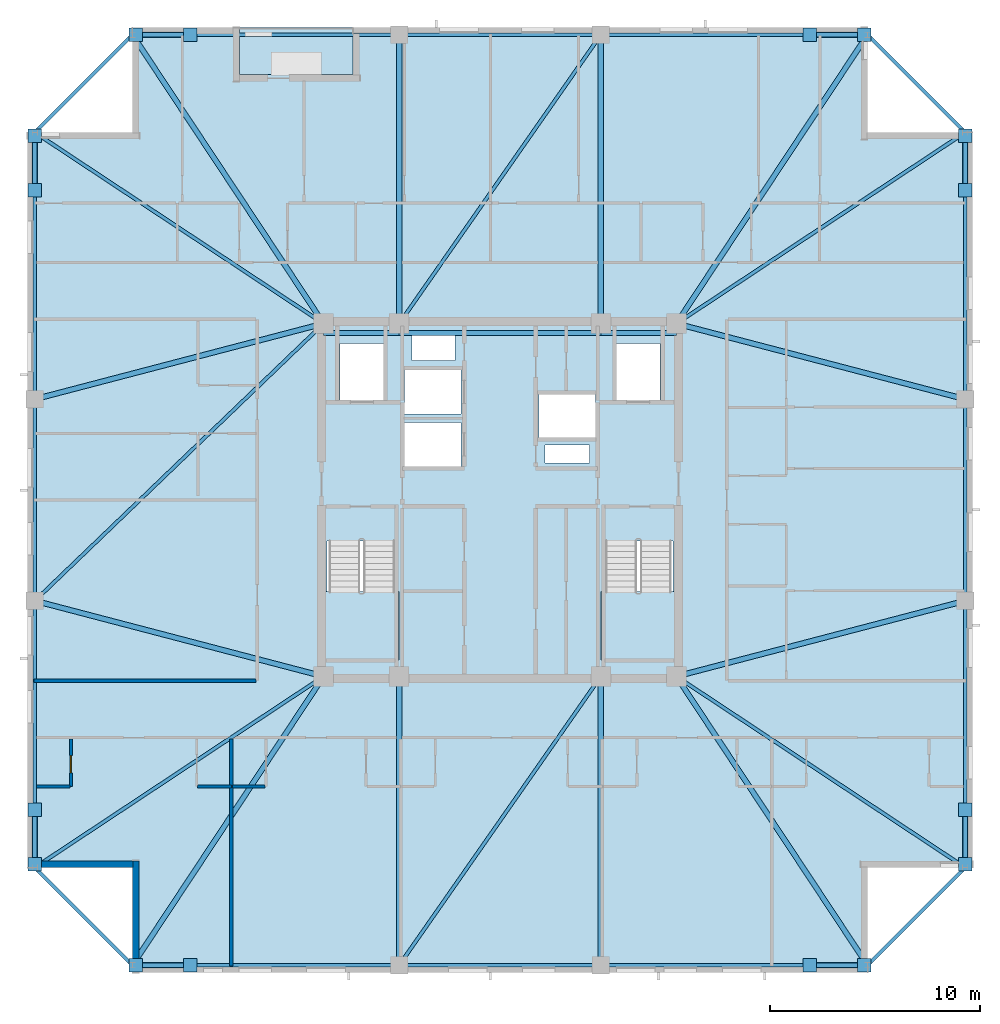
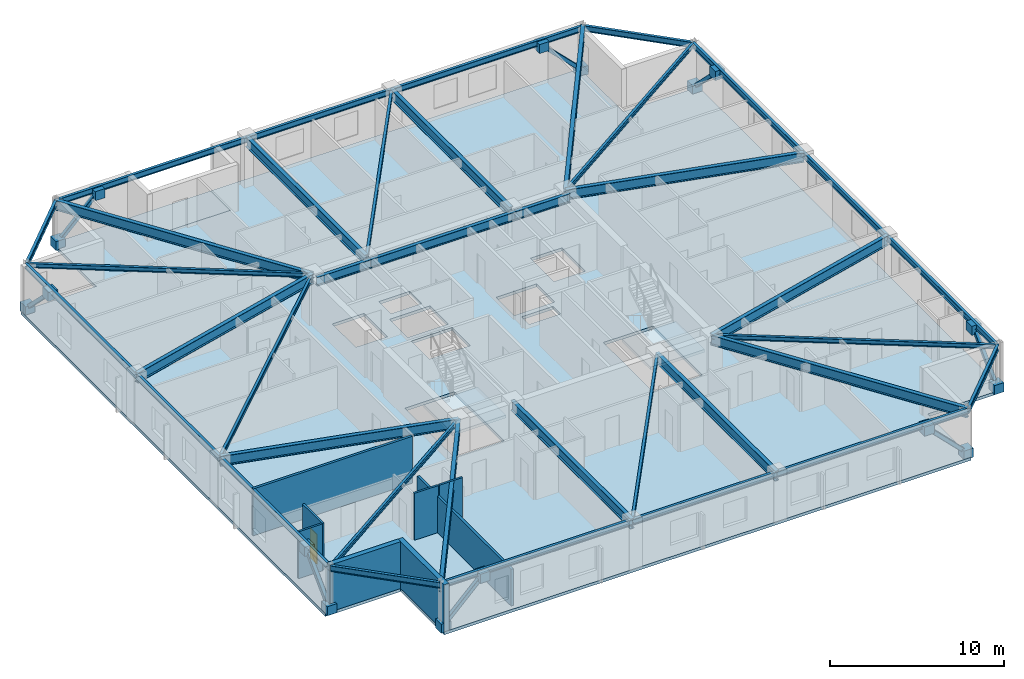
# One storey, part 6 of 17: 38 beams, 16 plates, 8 members, 8 walls, 4 slabs, 1 door, 1 opening, 2 elements without a shape of their own.
"""IFC4 building model written with IfcOpenShell, lengths in metres."""

import ifcopenshell
import ifcopenshell.guid

model = None  # the IFC model being written
_history = None  # IfcOwnerHistory: only IFC2X3 demands one
_inside = {}  # id of a spatial element -> (the spatial element, [elements in it])
_under = {}  # id of a project, library or spatial element -> (it, [spatial elements below it])
_declared = {}  # id of a project -> (the project, [libraries it declares])
_typed = {}  # id of a type object -> (the type object, [elements of that type])
_made_of = {}  # id of a material, layer set ... -> (it, [elements and type objects made of it])


def new_model(schema):
    """Start an empty IFC model of exactly this schema.

    Asked for "IFC4X3", IfcOpenShell would pick the latest addendum, in which some entities
    have other attributes; the version numbers below select the first issue.
    IFC2X3 requires an IfcOwnerHistory on every rooted entity: one is made here for all.
    """
    global model, _history
    if schema == "IFC4X3":
        model = ifcopenshell.file(schema_version=(4, 3, 0, 0))
    else:
        model = ifcopenshell.file(schema=schema)
    _inside.clear()
    _under.clear()
    _declared.clear()
    _typed.clear()
    _made_of.clear()
    _history = None
    if model.schema == "IFC2X3":
        org = make("IfcOrganization", Name="unknown")
        user = make(
            "IfcPersonAndOrganization",
            ThePerson=make("IfcPerson", FamilyName="unknown"),
            TheOrganization=org,
        )
        app = make(
            "IfcApplication",
            ApplicationDeveloper=org,
            Version="unknown",
            ApplicationFullName="unknown",
            ApplicationIdentifier="unknown",
        )
        _history = make(
            "IfcOwnerHistory",
            OwningUser=user,
            OwningApplication=app,
            ChangeAction="ADDED",
            CreationDate=0,
        )
    return model


def make(cls, **values):
    """One entity of the class cls with the attributes given. An attribute that is None is left unset."""
    return model.create_entity(
        cls, **{name: value for name, value in values.items() if value is not None}
    )


def rooted(cls, **values):
    """An entity with a GlobalId (a new one), such as an element, a storey or a relation."""
    return make(cls, GlobalId=ifcopenshell.guid.new(), OwnerHistory=_history, **values)


def si_unit(unit_type, name, prefix=None):
    """IfcSIUnit, for example si_unit("LENGTHUNIT", "METRE", prefix="MILLI")."""
    return make("IfcSIUnit", UnitType=unit_type, Prefix=prefix, Name=name)


def assignment(units):
    """IfcUnitAssignment: the units of a project."""
    return None if units is None else make("IfcUnitAssignment", Units=units)


def point(xyz):
    """IfcCartesianPoint."""
    return None if xyz is None else make("IfcCartesianPoint", Coordinates=xyz)


def direction(xyz):
    """IfcDirection."""
    return None if xyz is None else make("IfcDirection", DirectionRatios=xyz)


def frame(location, z_axis=None, x_axis=None):
    """IfcAxis2Placement3D, a coordinate frame: its origin and axes. An axis left out is left unset."""
    return make(
        "IfcAxis2Placement3D",
        Location=point(location),
        Axis=direction(z_axis),
        RefDirection=direction(x_axis),
    )


def frame_2d(location, x_axis=None):
    """IfcAxis2Placement2D, a coordinate frame in the plane: its origin and x axis."""
    return make(
        "IfcAxis2Placement2D", Location=point(location), RefDirection=direction(x_axis)
    )


def origin():
    """The frame at (0, 0, 0) with its axes left unset."""
    return frame((0.0, 0.0, 0.0))


def origin_2d():
    """The frame at (0, 0) in the plane with its x axis left unset."""
    return frame_2d((0.0, 0.0))


def place(relative_to, where):
    """IfcLocalPlacement: puts the frame where relative to a parent placement (None: the world)."""
    return make(
        "IfcLocalPlacement", PlacementRelTo=relative_to, RelativePlacement=where
    )


def context(
    kind, dimensions, precision=None, world=None, true_north=None, identifier=None
):
    """IfcGeometricRepresentationContext, for example the 3D "Model" context."""
    return make(
        "IfcGeometricRepresentationContext",
        ContextIdentifier=identifier,
        ContextType=kind,
        CoordinateSpaceDimension=dimensions,
        Precision=precision,
        WorldCoordinateSystem=world,
        TrueNorth=true_north,
    )


def subcontext(parent, identifier, kind, view, scale=None):
    """IfcGeometricRepresentationSubContext, for example "Body" below "Model"."""
    return make(
        "IfcGeometricRepresentationSubContext",
        ContextIdentifier=identifier,
        ContextType=kind,
        ParentContext=parent,
        TargetScale=scale,
        TargetView=view,
    )


def project(units=None, contexts=None):
    """IfcProject with its units and contexts."""
    return rooted(
        "IfcProject",
        Name="project",
        RepresentationContexts=contexts,
        UnitsInContext=assignment(units),
    )


def spatial(cls, under=None, at=None, **own):
    """A site, building, storey or space (cls), placed at a placement, below another one or the project."""
    s = rooted(cls, ObjectPlacement=at, **own)
    if under is not None:
        _under.setdefault(under.id(), (under, []))[1].append(s)
    return s


def polyline(points):
    """IfcPolyline through the points."""
    return make("IfcPolyline", Points=[point(p) for p in points])


def profile(cls, at=None, kind="AREA", **sizes):
    """A parametric profile (cls). Its sizes go by their IFC names, for example OverallWidth=200.0."""
    return make(cls, ProfileType=kind, Position=at, **sizes)


def rectangle(**sizes):
    """IfcRectangleProfileDef."""
    return profile("IfcRectangleProfileDef", **sizes)


def hollow_rectangle(**sizes):
    """IfcRectangleHollowProfileDef."""
    return profile("IfcRectangleHollowProfileDef", **sizes)


def i_section(**sizes):
    """IfcIShapeProfileDef."""
    return profile("IfcIShapeProfileDef", **sizes)


def outline(outer, holes=None, kind="AREA"):
    """IfcArbitraryClosedProfileDef: a profile drawn as a closed curve; with holes, ...WithVoids."""
    if holes is None:
        return make("IfcArbitraryClosedProfileDef", ProfileType=kind, OuterCurve=outer)
    return make(
        "IfcArbitraryProfileDefWithVoids",
        ProfileType=kind,
        OuterCurve=outer,
        InnerCurves=holes,
    )


def extrude(swept, where, along, depth):
    """IfcExtrudedAreaSolid: the profile swept, set in the frame where, extruded along a direction by depth."""
    return make(
        "IfcExtrudedAreaSolid",
        SweptArea=swept,
        Position=where,
        ExtrudedDirection=direction(along),
        Depth=depth,
    )


def shape(context_of_items, identifier, shape_type, items):
    """IfcShapeRepresentation: the items that make up one representation, for example the "Body"."""
    return make(
        "IfcShapeRepresentation",
        ContextOfItems=context_of_items,
        RepresentationIdentifier=identifier,
        RepresentationType=shape_type,
        Items=items,
    )


def material(Name=None, Category=None):
    """IfcMaterial."""
    return make("IfcMaterial", Name=Name, Category=Category)


def layer(
    of_material, thickness, ventilated=None, Name=None, Category=None, Priority=None
):
    """IfcMaterialLayer: one layer of a wall or slab, of a material (None: an air gap)."""
    return make(
        "IfcMaterialLayer",
        Material=of_material,
        LayerThickness=thickness,
        IsVentilated=ventilated,
        Name=Name,
        Category=Category,
        Priority=Priority,
    )


def layer_set(layers, Name=None):
    """IfcMaterialLayerSet."""
    return make("IfcMaterialLayerSet", MaterialLayers=layers, LayerSetName=Name)


def material_profile(
    of_material, cross_section, Name=None, Category=None, Priority=None
):
    """IfcMaterialProfile: a cross section and its material."""
    return make(
        "IfcMaterialProfile",
        Name=Name,
        Material=of_material,
        Profile=cross_section,
        Priority=Priority,
        Category=Category,
    )


def profile_set(profiles, Name=None, composite=None):
    """IfcMaterialProfileSet."""
    return make(
        "IfcMaterialProfileSet",
        Name=Name,
        MaterialProfiles=profiles,
        CompositeProfile=composite,
    )


def made_of(thing, what):
    """Note that an element or type object is made of a material, layer set ...; save() writes the relation."""
    if what is not None:
        _made_of.setdefault(what.id(), (what, []))[1].append(thing)
    return thing


def type_object(cls, material=None, **own):
    """A type object (cls), such as IfcWallType, which elements share."""
    return made_of(rooted(cls, **own), material)


def element(
    cls,
    number,
    at=None,
    inside=None,
    cuts=None,
    type_object=None,
    material=None,
    context=None,
    identifier="Body",
    shape_type=None,
    held_by="IfcProductDefinitionShape",
    body=None,
    shapes=None,
    **own,
):
    """One element of the class cls, such as IfcWall. Its Tag is "e" and its number.

    at: its placement. inside: the storey or other place that contains it. cuts: it is an
    opening in that element (IfcRelVoidsElement). A single representation is given by context,
    identifier, shape_type and body (its items); several are given by shapes. held_by: the class
    of the entity that holds the representations. save() writes the other relations.
    """
    e = rooted(cls, Tag="e%d" % number, ObjectPlacement=at, **own)
    if body is not None:
        shapes = [shape(context, identifier, shape_type, body)]
    if shapes is not None:
        e.Representation = make(held_by, Representations=shapes)
    if inside is not None:
        _inside.setdefault(inside.id(), (inside, []))[1].append(e)
    if cuts is not None:
        rooted(
            "IfcRelVoidsElement", RelatingBuildingElement=cuts, RelatedOpeningElement=e
        )
    if type_object is not None:
        _typed.setdefault(type_object.id(), (type_object, []))[1].append(e)
    return made_of(e, material)


def fill(opening, filler):
    """IfcRelFillsElement: the door or window that sits in an opening."""
    return rooted(
        "IfcRelFillsElement",
        RelatingOpeningElement=opening,
        RelatedBuildingElement=filler,
    )


def aggregate(whole, parts):
    """IfcRelAggregates: a whole, such as a stair, and the parts it consists of."""
    return rooted("IfcRelAggregates", RelatingObject=whole, RelatedObjects=parts)


def save(model, path):
    """Write the relations noted so far, then the file.

    IfcRelAggregates (storeys below a building ...), IfcRelContainedInSpatialStructure (elements
    in a storey), IfcRelDefinesByType, IfcRelAssociatesMaterial and IfcRelDeclares: one each for
    every whole, place, type object, material and project.
    """
    for whole, parts in _under.values():
        aggregate(whole, parts)
    for where, things in _inside.values():
        rooted(
            "IfcRelContainedInSpatialStructure",
            RelatedElements=things,
            RelatingStructure=where,
        )
    for kind, things in _typed.values():
        rooted("IfcRelDefinesByType", RelatedObjects=things, RelatingType=kind)
    for what, things in _made_of.values():
        rooted("IfcRelAssociatesMaterial", RelatedObjects=things, RelatingMaterial=what)
    for by, libraries in _declared.values():
        rooted("IfcRelDeclares", RelatingContext=by, RelatedDefinitions=libraries)
    model.write(path)


model = new_model("IFC4")

# Units and contexts
model_context = context("Model", 3, precision=1e-05, world=origin(), true_north=direction((0.0, 1.0)))
body_context = subcontext(model_context, "Body", "Model", "MODEL_VIEW")
ifc_project = project(units=[si_unit("LENGTHUNIT", "METRE"), si_unit("AREAUNIT", "SQUARE_METRE"), si_unit("VOLUMEUNIT", "CUBIC_METRE"), si_unit("PLANEANGLEUNIT", "RADIAN"), si_unit("MASSUNIT", "GRAM", prefix="KILO")], contexts=[model_context])

# Site, building, storey
site_placement = place(None, origin())
site = spatial("IfcSite", under=ifc_project, at=site_placement, CompositionType="ELEMENT")
building_placement = place(site_placement, origin())
building = spatial("IfcBuilding", under=site, at=building_placement, Name="Cairnveth Concourse Tower", CompositionType="ELEMENT")
storey_placement = place(building_placement, frame((0.0, 0.0, 216.5)))
storey = spatial("IfcBuildingStorey", under=building, at=storey_placement, Name="L59", CompositionType="ELEMENT", Elevation=216.5)

# Beams
ifc_material_1 = material(Name="Steel Grade 350", Category="steel")
ifc_material_profile_1 = material_profile(ifc_material_1, i_section(OverallWidth=0.22802734375, OverallDepth=0.60693359375, WebThickness=0.01123046875, FlangeThickness=0.017333984375, FilletRadius=0.013916015625, at=origin_2d()), Name="610UB113")
ifc_profile_set_1 = profile_set([ifc_material_profile_1], Name="Steel Grade 350")
beam_type_1 = type_object("IfcBeamType", Name="CORE TIE BEAM 610UB113", PredefinedType="T_BEAM", material=ifc_profile_set_1)
for number, where, z_axis, x_axis, name in (
    (1, (43.60009765625, 46.949951171875, 2.986572265625), (1.0, 0.0, 0.0), (0.0, 1.0, 0.0), "Beam CT-N1 L59"),
    (2, (56.800048828125, 46.949951171875, 2.986572265625), (1.0, 0.0, 0.0), (0.0, 1.0, 0.0), "Beam CT-N3 L59"),
):
    element("IfcBeam", number, at=place(storey_placement, frame(where, z_axis=z_axis, x_axis=x_axis)), inside=storey, type_object=beam_type_1, Name=name, PredefinedType="T_BEAM", context=body_context, shape_type="SweptSolid", body=[
        extrude(i_section(OverallWidth=0.22802734375, OverallDepth=0.60693359375, WebThickness=0.01123046875, FlangeThickness=0.017333984375, FilletRadius=0.013916015625, at=origin_2d()), origin(), (0.0, 0.0, 1.0), 3.599853515625),
    ])
beam_1_placement = place(storey_placement, frame((47.199951171875, 46.949951171875, 2.986572265625), z_axis=(1.0, 0.0, 0.0), x_axis=(0.0, 1.0, 0.0)))
element("IfcBeam", 3, at=beam_1_placement, inside=storey, type_object=beam_type_1, Name="Beam CT-N2 L59", PredefinedType="T_BEAM", context=body_context, shape_type="SweptSolid", body=[
    extrude(i_section(OverallWidth=0.22802734375, OverallDepth=0.60693359375, WebThickness=0.01123046875, FlangeThickness=0.017333984375, FilletRadius=0.013916015625, at=origin_2d()), origin(), (0.0, 0.0, 1.0), 9.60009765625),
])
ifc_material_profile_2 = material_profile(ifc_material_1, i_section(OverallWidth=0.166015625, OverallDepth=0.306884765625, WebThickness=0.006591796875, FlangeThickness=0.01171875, FilletRadius=0.010986328125, at=origin_2d()), Name="310UB46.2")
ifc_profile_set_2 = profile_set([ifc_material_profile_2], Name="Steel Grade 350")
beam_type_2 = type_object("IfcBeamType", Name="ZONE 3 FLOOR JOIST 310UB46.2", PredefinedType="JOIST", material=ifc_profile_set_2)
for number, where, z_axis, x_axis, name in (
    (4, (29.85009765625, 21.5, 3.136474609375), (0.833908956207, 0.551902031848, 0.0), (-0.551902031848, 0.833908956207, 0.0), "Beam FJ-CSW2 L59"),
    (5, (74.14990234375, 21.5, 3.136474609375), (-0.833908956207, 0.551902031848, 0.0), (-0.551902031848, -0.833908956207, 0.0), "Beam FJ-CSE2 L59"),
    (6, (74.14990234375, 56.5, 3.136474609375), (-0.833908956207, -0.551902031848, 0.0), (0.551902031848, -0.833908956207, 0.0), "Beam FJ-CNE2 L59"),
    (7, (29.85009765625, 56.5, 3.136474609375), (0.833908956207, -0.551902031848, 0.0), (0.551902031848, 0.833908956207, 0.0), "Beam FJ-CNW2 L59"),
):
    element("IfcBeam", number, at=place(storey_placement, frame(where, z_axis=z_axis, x_axis=x_axis)), inside=storey, type_object=beam_type_2, Name=name, PredefinedType="JOIST", context=body_context, shape_type="SweptSolid", body=[
        extrude(i_section(OverallWidth=0.166015625, OverallDepth=0.306884765625, WebThickness=0.006591796875, FlangeThickness=0.01171875, FilletRadius=0.010986328125, at=origin_2d()), origin(), (0.0, 0.0, 1.0), 16.488525390625),
    ])
for number, where, z_axis, x_axis, name in (
    (8, (47.199951171875, 16.85009765625, 3.136474609375), (0.572465304893, 0.819928944905, 0.0), (-0.819928944905, 0.572465304893, 0.0), "Beam FJ-S-M1 L59"),
    (9, (47.199951171875, 47.39990234375, 3.136474609375), (0.572465304893, 0.819928944905, 0.0), (-0.819928944905, 0.572465304893, 0.0), "Beam FJ-N-M1 L59"),
):
    element("IfcBeam", number, at=place(storey_placement, frame(where, z_axis=z_axis, x_axis=x_axis)), inside=storey, type_object=beam_type_2, Name=name, PredefinedType="JOIST", context=body_context, shape_type="SweptSolid", body=[
        extrude(i_section(OverallWidth=0.166015625, OverallDepth=0.306884765625, WebThickness=0.006591796875, FlangeThickness=0.01171875, FilletRadius=0.010986328125, at=origin_2d()), origin(), (0.0, 0.0, 1.0), 16.769775390625),
    ])
beam_2_placement = place(storey_placement, frame((29.85009765625, 34.199951171875, 3.136474609375), z_axis=(0.721388600838, 0.692530495055, 0.0), x_axis=(-0.692530495055, 0.721388600838, 0.0)))
element("IfcBeam", 10, at=beam_2_placement, inside=storey, type_object=beam_type_2, Name="Beam FJ-W-M1 L59", PredefinedType="JOIST", context=body_context, shape_type="SweptSolid", body=[
    extrude(i_section(OverallWidth=0.166015625, OverallDepth=0.306884765625, WebThickness=0.006591796875, FlangeThickness=0.01171875, FilletRadius=0.010986328125, at=origin_2d()), origin(), (0.0, 0.0, 1.0), 19.060546875),
])

# Members
ifc_material_2 = material(Name="Steel C350L0 (350 MPa)", Category="steel")
ifc_material_profile_3 = material_profile(ifc_material_2, hollow_rectangle(XDim=0.25, YDim=0.25, WallThickness=0.012451171875, InnerFilletRadius=0.012939453125, OuterFilletRadius=0.02490234375, at=origin_2d()), Name="250x250x12.5SHS")
ifc_profile_set_3 = profile_set([ifc_material_profile_3], Name="Steel C350L0 (350 MPa)")
member_type = type_object("IfcMemberType", Name="ZONE 3 PIER BRACE 250X250X12.5SHS", PredefinedType="BRACE", material=ifc_profile_set_3)
for number, where, z_axis, x_axis, name in (
    (11, (34.64990234375, 16.85009765625, 0.25), (0.708469186186, 0.0, 0.705741746126), (0.0, 1.0, 0.0), "Structural Brace PB-S1 L59"),
    (12, (69.35009765625, 16.85009765625, 0.25), (-0.708469186186, 0.0, 0.705741746126), (0.0, -1.0, 0.0), "Structural Brace PB-S2 L59"),
    (13, (34.64990234375, 61.14990234375, 0.25), (0.708469186186, 0.0, 0.705741746126), (0.0, 1.0, 0.0), "Structural Brace PB-N1 L59"),
    (14, (69.35009765625, 61.14990234375, 0.25), (-0.708469186186, 0.0, 0.705741746126), (0.0, -1.0, 0.0), "Structural Brace PB-N2 L59"),
    (15, (29.85009765625, 21.64990234375, 0.25), (0.0, 0.708469186186, 0.705741746126), (-1.0, 0.0, 0.0), "Structural Brace PB-W1 L59"),
    (16, (29.85009765625, 56.35009765625, 0.25), (0.0, -0.708469186186, 0.705741746126), (1.0, 0.0, 0.0), "Structural Brace PB-W2 L59"),
    (17, (74.14990234375, 21.64990234375, 0.25), (0.0, 0.708469186186, 0.705741746126), (-1.0, 0.0, 0.0), "Structural Brace PB-E1 L59"),
    (18, (74.14990234375, 56.35009765625, 0.25), (0.0, -0.708469186186, 0.705741746126), (1.0, 0.0, 0.0), "Structural Brace PB-E2 L59"),
):
    element("IfcMember", number, at=place(storey_placement, frame(where, z_axis=z_axis, x_axis=x_axis)), inside=storey, type_object=member_type, Name=name, PredefinedType="BRACE", context=body_context, shape_type="SweptSolid", body=[
        extrude(hollow_rectangle(XDim=0.25, YDim=0.25, WallThickness=0.012451171875, InnerFilletRadius=0.012939453125, OuterFilletRadius=0.02490234375, at=origin_2d()), origin(), (0.0, 0.0, 1.0), 3.669921875),
    ])

# Beams
ifc_material_profile_4 = material_profile(ifc_material_1, i_section(OverallWidth=0.25, OverallDepth=0.69189453125, WebThickness=0.010009765625, FlangeThickness=0.02490234375, at=origin_2d()), Name="700WB150")
ifc_profile_set_4 = profile_set([ifc_material_profile_4], Name="Steel Grade 350")
beam_type_3 = type_object("IfcBeamType", Name="ZONE 3 RADIAL GIRDER 700WB150", PredefinedType="BEAM", material=ifc_profile_set_4)
for number, where, z_axis, x_axis, name in (
    (19, (47.199951171875, 16.85009765625, 2.944091796875), (0.0, 1.0, 0.0), (-1.0, 0.0, 0.0), "Beam RG-S1 L59"),
    (20, (56.800048828125, 16.85009765625, 2.944091796875), (0.0, 1.0, 0.0), (-1.0, 0.0, 0.0), "Beam RG-S2 L59"),
    (21, (47.199951171875, 47.39990234375, 2.944091796875), (0.0, 1.0, 0.0), (-1.0, 0.0, 0.0), "Beam RG-N1 L59"),
    (22, (56.800048828125, 47.39990234375, 2.944091796875), (0.0, 1.0, 0.0), (-1.0, 0.0, 0.0), "Beam RG-N2 L59"),
):
    element("IfcBeam", number, at=place(storey_placement, frame(where, z_axis=z_axis, x_axis=x_axis)), inside=storey, type_object=beam_type_3, Name=name, PredefinedType="BEAM", context=body_context, shape_type="SweptSolid", body=[
        extrude(i_section(OverallWidth=0.25, OverallDepth=0.69189453125, WebThickness=0.010009765625, FlangeThickness=0.02490234375, at=origin_2d()), origin(), (0.0, 0.0, 1.0), 13.75),
    ])
for number, where, z_axis, x_axis, name in (
    (23, (29.85009765625, 34.199951171875, 2.944091796875), (0.967395273598, -0.253271365575, 0.0), (0.253271365575, 0.967395273598, 0.0), "Beam RG-W1 L59"),
    (24, (29.85009765625, 43.800048828125, 2.944091796875), (0.967395273598, 0.253271365575, 0.0), (-0.253271365575, 0.967395273598, 0.0), "Beam RG-W2 L59"),
    (25, (60.39990234375, 30.60009765625, 2.944091796875), (0.967395273598, 0.253271365575, 0.0), (-0.253271365575, 0.967395273598, 0.0), "Beam RG-E1 L59"),
    (26, (60.39990234375, 47.39990234375, 2.944091796875), (0.967395273598, -0.253271365575, 0.0), (0.253271365575, 0.967395273598, 0.0), "Beam RG-E2 L59"),
):
    element("IfcBeam", number, at=place(storey_placement, frame(where, z_axis=z_axis, x_axis=x_axis)), inside=storey, type_object=beam_type_3, Name=name, PredefinedType="BEAM", context=body_context, shape_type="SweptSolid", body=[
        extrude(i_section(OverallWidth=0.25, OverallDepth=0.69189453125, WebThickness=0.010009765625, FlangeThickness=0.02490234375, at=origin_2d()), origin(), (0.0, 0.0, 1.0), 14.21337890625),
    ])
for number, where, z_axis, x_axis, name in (
    (27, (34.5, 16.85009765625, 2.944091796875), (0.551902031848, 0.833908956207, 0.0), (-0.833908956207, 0.551902031848, 0.0), "Beam RG-CSW L59"),
    (28, (69.5, 16.85009765625, 2.944091796875), (-0.551902031848, 0.833908956207, 0.0), (-0.833908956207, -0.551902031848, 0.0), "Beam RG-CSE L59"),
    (29, (69.5, 61.14990234375, 2.944091796875), (-0.551902031848, -0.833908956207, 0.0), (0.833908956207, -0.551902031848, 0.0), "Beam RG-CNE L59"),
    (30, (34.5, 61.14990234375, 2.944091796875), (0.551902031848, -0.833908956207, 0.0), (0.833908956207, 0.551902031848, 0.0), "Beam RG-CNW L59"),
):
    element("IfcBeam", number, at=place(storey_placement, frame(where, z_axis=z_axis, x_axis=x_axis)), inside=storey, type_object=beam_type_3, Name=name, PredefinedType="BEAM", context=body_context, shape_type="SweptSolid", body=[
        extrude(i_section(OverallWidth=0.25, OverallDepth=0.69189453125, WebThickness=0.010009765625, FlangeThickness=0.02490234375, at=origin_2d()), origin(), (0.0, 0.0, 1.0), 16.488525390625),
    ])
ifc_material_profile_5 = material_profile(ifc_material_1, i_section(OverallWidth=0.177978515625, OverallDepth=0.406005859375, WebThickness=0.0078125, FlangeThickness=0.0126953125, FilletRadius=0.010986328125, at=origin_2d()), Name="410UB59.7")
ifc_profile_set_5 = profile_set([ifc_material_profile_5], Name="Steel Grade 350")
beam_type_4 = type_object("IfcBeamType", Name="ZONE 3 SPANDREL BEAM 410UB59.7", PredefinedType="SPANDREL", material=ifc_profile_set_5)
beam_3_placement = place(storey_placement, frame((34.5, 16.85009765625, 3.0869140625), z_axis=(1.0, 0.0, 0.0), x_axis=(0.0, 1.0, 0.0)))
element("IfcBeam", 31, at=beam_3_placement, inside=storey, type_object=beam_type_4, Name="Beam SP-S1 L59", PredefinedType="SPANDREL", context=body_context, shape_type="SweptSolid", body=[
    extrude(i_section(OverallWidth=0.177978515625, OverallDepth=0.406005859375, WebThickness=0.0078125, FlangeThickness=0.0126953125, FilletRadius=0.010986328125, at=origin_2d()), origin(), (0.0, 0.0, 1.0), 12.699951171875),
])
beam_4_placement = place(storey_placement, frame((47.199951171875, 16.85009765625, 3.0869140625), z_axis=(1.0, 0.0, 0.0), x_axis=(0.0, 1.0, 0.0)))
element("IfcBeam", 32, at=beam_4_placement, inside=storey, type_object=beam_type_4, Name="Beam SP-S2 L59", PredefinedType="SPANDREL", context=body_context, shape_type="SweptSolid", body=[
    extrude(i_section(OverallWidth=0.177978515625, OverallDepth=0.406005859375, WebThickness=0.0078125, FlangeThickness=0.0126953125, FilletRadius=0.010986328125, at=origin_2d()), origin(), (0.0, 0.0, 1.0), 9.60009765625),
])
for number, where, z_axis, x_axis, name in (
    (33, (56.800048828125, 16.85009765625, 3.0869140625), (1.0, 0.0, 0.0), (0.0, 1.0, 0.0), "Beam SP-S3 L59"),
    (34, (34.5, 61.14990234375, 3.0869140625), (1.0, 0.0, 0.0), (0.0, 1.0, 0.0), "Beam SP-N1 L59"),
):
    element("IfcBeam", number, at=place(storey_placement, frame(where, z_axis=z_axis, x_axis=x_axis)), inside=storey, type_object=beam_type_4, Name=name, PredefinedType="SPANDREL", context=body_context, shape_type="SweptSolid", body=[
        extrude(i_section(OverallWidth=0.177978515625, OverallDepth=0.406005859375, WebThickness=0.0078125, FlangeThickness=0.0126953125, FilletRadius=0.010986328125, at=origin_2d()), origin(), (0.0, 0.0, 1.0), 12.699951171875),
    ])
beam_5_placement = place(storey_placement, frame((47.199951171875, 61.14990234375, 3.0869140625), z_axis=(1.0, 0.0, 0.0), x_axis=(0.0, 1.0, 0.0)))
element("IfcBeam", 35, at=beam_5_placement, inside=storey, type_object=beam_type_4, Name="Beam SP-N2 L59", PredefinedType="SPANDREL", context=body_context, shape_type="SweptSolid", body=[
    extrude(i_section(OverallWidth=0.177978515625, OverallDepth=0.406005859375, WebThickness=0.0078125, FlangeThickness=0.0126953125, FilletRadius=0.010986328125, at=origin_2d()), origin(), (0.0, 0.0, 1.0), 9.60009765625),
])
for number, where, z_axis, x_axis, name in (
    (36, (56.800048828125, 61.14990234375, 3.0869140625), (1.0, 0.0, 0.0), (0.0, 1.0, 0.0), "Beam SP-N3 L59"),
    (37, (29.85009765625, 21.5, 3.0869140625), (0.0, 1.0, 0.0), (-1.0, 0.0, 0.0), "Beam SP-W1 L59"),
):
    element("IfcBeam", number, at=place(storey_placement, frame(where, z_axis=z_axis, x_axis=x_axis)), inside=storey, type_object=beam_type_4, Name=name, PredefinedType="SPANDREL", context=body_context, shape_type="SweptSolid", body=[
        extrude(i_section(OverallWidth=0.177978515625, OverallDepth=0.406005859375, WebThickness=0.0078125, FlangeThickness=0.0126953125, FilletRadius=0.010986328125, at=origin_2d()), origin(), (0.0, 0.0, 1.0), 12.699951171875),
    ])
beam_6_placement = place(storey_placement, frame((29.85009765625, 34.199951171875, 3.0869140625), z_axis=(0.0, 1.0, 0.0), x_axis=(-1.0, 0.0, 0.0)))
element("IfcBeam", 38, at=beam_6_placement, inside=storey, type_object=beam_type_4, Name="Beam SP-W2 L59", PredefinedType="SPANDREL", context=body_context, shape_type="SweptSolid", body=[
    extrude(i_section(OverallWidth=0.177978515625, OverallDepth=0.406005859375, WebThickness=0.0078125, FlangeThickness=0.0126953125, FilletRadius=0.010986328125, at=origin_2d()), origin(), (0.0, 0.0, 1.0), 9.60009765625),
])
for number, where, z_axis, x_axis, name in (
    (39, (29.85009765625, 43.800048828125, 3.0869140625), (0.0, 1.0, 0.0), (-1.0, 0.0, 0.0), "Beam SP-W3 L59"),
    (40, (74.14990234375, 21.5, 3.0869140625), (0.0, 1.0, 0.0), (-1.0, 0.0, 0.0), "Beam SP-E1 L59"),
):
    element("IfcBeam", number, at=place(storey_placement, frame(where, z_axis=z_axis, x_axis=x_axis)), inside=storey, type_object=beam_type_4, Name=name, PredefinedType="SPANDREL", context=body_context, shape_type="SweptSolid", body=[
        extrude(i_section(OverallWidth=0.177978515625, OverallDepth=0.406005859375, WebThickness=0.0078125, FlangeThickness=0.0126953125, FilletRadius=0.010986328125, at=origin_2d()), origin(), (0.0, 0.0, 1.0), 12.699951171875),
    ])
beam_7_placement = place(storey_placement, frame((74.14990234375, 34.199951171875, 3.0869140625), z_axis=(0.0, 1.0, 0.0), x_axis=(-1.0, 0.0, 0.0)))
element("IfcBeam", 41, at=beam_7_placement, inside=storey, type_object=beam_type_4, Name="Beam SP-E2 L59", PredefinedType="SPANDREL", context=body_context, shape_type="SweptSolid", body=[
    extrude(i_section(OverallWidth=0.177978515625, OverallDepth=0.406005859375, WebThickness=0.0078125, FlangeThickness=0.0126953125, FilletRadius=0.010986328125, at=origin_2d()), origin(), (0.0, 0.0, 1.0), 9.60009765625),
])
beam_8_placement = place(storey_placement, frame((74.14990234375, 43.800048828125, 3.0869140625), z_axis=(0.0, 1.0, 0.0), x_axis=(-1.0, 0.0, 0.0)))
element("IfcBeam", 42, at=beam_8_placement, inside=storey, type_object=beam_type_4, Name="Beam SP-E3 L59", PredefinedType="SPANDREL", context=body_context, shape_type="SweptSolid", body=[
    extrude(i_section(OverallWidth=0.177978515625, OverallDepth=0.406005859375, WebThickness=0.0078125, FlangeThickness=0.0126953125, FilletRadius=0.010986328125, at=origin_2d()), origin(), (0.0, 0.0, 1.0), 12.699951171875),
])
for number, where, z_axis, x_axis, name in (
    (43, (29.85009765625, 21.5, 3.0869140625), (0.707106781187, -0.707106781187, 0.0), (0.707106781187, 0.707106781187, 0.0), "Beam SP-SW L59"),
    (44, (69.5, 16.85009765625, 3.0869140625), (0.707106781187, 0.707106781187, 0.0), (-0.707106781187, 0.707106781187, 0.0), "Beam SP-SE L59"),
    (45, (69.5, 61.14990234375, 3.0869140625), (0.707106781187, -0.707106781187, 0.0), (0.707106781187, 0.707106781187, 0.0), "Beam SP-NE L59"),
    (46, (29.85009765625, 56.5, 3.0869140625), (0.707106781187, 0.707106781187, 0.0), (-0.707106781187, 0.707106781187, 0.0), "Beam SP-NW L59"),
):
    element("IfcBeam", number, at=place(storey_placement, frame(where, z_axis=z_axis, x_axis=x_axis)), inside=storey, type_object=beam_type_4, Name=name, PredefinedType="SPANDREL", context=body_context, shape_type="SweptSolid", body=[
        extrude(i_section(OverallWidth=0.177978515625, OverallDepth=0.406005859375, WebThickness=0.0078125, FlangeThickness=0.0126953125, FilletRadius=0.010986328125, at=origin_2d()), origin(), (0.0, 0.0, 1.0), 6.575927734375),
    ])

# Plates
ifc_layer_1 = layer(ifc_material_1, 0.031982421875)
ifc_layer_set_1 = layer_set([ifc_layer_1], Name="Steel Grade 350")
plate_type = type_object("IfcPlateType", Name="PERIMETER BRACE GUSSET PLATE 32", PredefinedType="USERDEFINED", material=ifc_layer_set_1)
for number, where, z_axis, x_axis, name in (
    (47, (34.64990234375, 16.85009765625, -0.06982421875), (0.0, 0.0, 1.0), (1.0, 0.0, 0.0), "Structural Node Plate 1029 L59"),
    (48, (37.25, 16.85009765625, 2.52001953125), (0.0, 0.0, 1.0), (1.0, 0.0, 0.0), "Structural Node Plate 1030 L59"),
    (49, (69.35009765625, 16.85009765625, -0.06982421875), (0.0, 0.0, 1.0), (1.0, 0.0, 0.0), "Structural Node Plate 1031 L59"),
    (50, (66.75, 16.85009765625, 2.52001953125), (0.0, 0.0, 1.0), (1.0, 0.0, 0.0), "Structural Node Plate 1032 L59"),
    (51, (34.64990234375, 61.14990234375, -0.06982421875), (0.0, 0.0, 1.0), (1.0, 0.0, 0.0), "Structural Node Plate 1033 L59"),
    (52, (37.25, 61.14990234375, 2.52001953125), (0.0, 0.0, 1.0), (1.0, 0.0, 0.0), "Structural Node Plate 1034 L59"),
    (53, (69.35009765625, 61.14990234375, -0.06982421875), (0.0, 0.0, 1.0), (1.0, 0.0, 0.0), "Structural Node Plate 1035 L59"),
    (54, (66.75, 61.14990234375, 2.52001953125), (0.0, 0.0, 1.0), (1.0, 0.0, 0.0), "Structural Node Plate 1036 L59"),
    (55, (29.85009765625, 21.64990234375, -0.06982421875), (0.0, 0.0, 1.0), (1.0, 0.0, 0.0), "Structural Node Plate 1037 L59"),
    (56, (29.85009765625, 24.25, 2.52001953125), (0.0, 0.0, 1.0), (1.0, 0.0, 0.0), "Structural Node Plate 1038 L59"),
    (57, (29.85009765625, 56.35009765625, -0.06982421875), (0.0, 0.0, 1.0), (1.0, 0.0, 0.0), "Structural Node Plate 1039 L59"),
    (58, (29.85009765625, 53.75, 2.52001953125), (0.0, 0.0, 1.0), (1.0, 0.0, 0.0), "Structural Node Plate 1040 L59"),
    (59, (74.14990234375, 21.64990234375, -0.06982421875), (0.0, 0.0, 1.0), (1.0, 0.0, 0.0), "Structural Node Plate 1041 L59"),
    (60, (74.14990234375, 24.25, 2.52001953125), (0.0, 0.0, 1.0), (1.0, 0.0, 0.0), "Structural Node Plate 1042 L59"),
    (61, (74.14990234375, 56.35009765625, -0.06982421875), (0.0, 0.0, 1.0), (1.0, 0.0, 0.0), "Structural Node Plate 1043 L59"),
    (62, (74.14990234375, 53.75, 2.52001953125), (0.0, 0.0, 1.0), (1.0, 0.0, 0.0), "Structural Node Plate 1044 L59"),
):
    element("IfcPlate", number, at=place(storey_placement, frame(where, z_axis=z_axis, x_axis=x_axis)), inside=storey, type_object=plate_type, Name=name, ObjectType="GUSSET PLATE", PredefinedType="USERDEFINED", context=body_context, shape_type="SweptSolid", body=[
        extrude(rectangle(XDim=0.639892578125, YDim=0.639892578125, at=origin_2d()), origin(), (0.0, 0.0, 1.0), 0.639892578125),
    ])

# Slab
ifc_material_3 = material(Name="Concrete N50 (50 MPa)", Category="concrete")
ifc_layer_2 = layer(ifc_material_3, 0.18994140625)
ifc_layer_set_2 = layer_set([ifc_layer_2], Name="Concrete N50 (50 MPa)")
slab_type_1 = type_object("IfcSlabType", Name="SPIRAL OUTDOOR TERRACE SLAB 190", PredefinedType="FLOOR", material=ifc_layer_set_2)
slab_1_placement = place(storey_placement, frame((0.0, 0.0, -0.18994140625)))
element("IfcSlab", 63, at=slab_1_placement, inside=storey, type_object=slab_type_1, Name="Spiral Terrace Slab L59", PredefinedType="FLOOR", context=body_context, shape_type="SweptSolid", body=[
    extrude(outline(polyline([(39.60009765625, 59.25), (45.0, 59.25), (45.0, 61.5), (39.60009765625, 61.5), (39.60009765625, 59.25)])), origin(), (0.0, 0.0, 1.0), 0.18994140625),
])

# Stair, slab
ifc_material_4 = material(Name="Precast concrete N50 (50 MPa)", Category="concrete")
stair_type = type_object("IfcStairType", Name="CORE DOG-LEG FIRE STAIR 1500", PredefinedType="HALF_TURN_STAIR", material=ifc_material_4)
stair_1_placement = place(storey_placement, origin())
stair_1 = element("IfcStair", 64, at=stair_1_placement, inside=storey, type_object=stair_type, Name="L59 Fire-Isolated Stair ST-1", PredefinedType="HALF_TURN_STAIR")
ifc_layer_3 = layer(ifc_material_3, 0.199951171875)
ifc_layer_set_3 = layer_set([ifc_layer_3], Name="Concrete N50 (50 MPa)")
slab_type_2 = type_object("IfcSlabType", Name="STAIR HALF LANDING SLAB 200", PredefinedType="LANDING", material=ifc_layer_set_3)
slab_2_placement = place(storey_placement, frame((0.0, 0.0, 1.550048828125)))
slab_2 = element("IfcSlab", 65, at=slab_2_placement, type_object=slab_type_2, Name="ST-1 landing 1", PredefinedType="LANDING", context=body_context, shape_type="SweptSolid", body=[
    extrude(outline(polyline([(43.6201171875, 34.639892578125), (43.6201171875, 31.3701171875), (47.199951171875, 31.3701171875), (47.199951171875, 34.639892578125), (43.6201171875, 34.639892578125)])), origin(), (0.0, 0.0, 1.0), 0.199951171875),
])
aggregate(stair_1, [slab_2])

stair_2_placement = place(storey_placement, origin())
stair_2 = element("IfcStair", 66, at=stair_2_placement, inside=storey, type_object=stair_type, Name="L59 Fire-Isolated Stair ST-2", PredefinedType="HALF_TURN_STAIR")
slab_3_placement = place(storey_placement, frame((0.0, 0.0, 1.550048828125)))
slab_3 = element("IfcSlab", 67, at=slab_3_placement, type_object=slab_type_2, Name="ST-2 landing 1", PredefinedType="LANDING", context=body_context, shape_type="SweptSolid", body=[
    extrude(outline(polyline([(56.800048828125, 34.639892578125), (56.800048828125, 31.3701171875), (60.3798828125, 31.3701171875), (60.3798828125, 34.639892578125), (56.800048828125, 34.639892578125)])), origin(), (0.0, 0.0, 1.0), 0.199951171875),
])
aggregate(stair_2, [slab_3])

# Slab
ifc_layer_4 = layer(ifc_material_3, 0.2099609375)
ifc_layer_set_4 = layer_set([ifc_layer_4], Name="Concrete N50 (50 MPa)")
slab_type_3 = type_object("IfcSlabType", Name="UPPER TOWER COMPOSITE SLAB 210", PredefinedType="FLOOR", material=ifc_layer_set_4)
slab_4_placement = place(storey_placement, frame((0.0, 0.0, -0.2099609375)))
element("IfcSlab", 68, at=slab_4_placement, inside=storey, type_object=slab_type_3, Name="Tower Floor Slab L59", PredefinedType="FLOOR", context=body_context, shape_type="SweptSolid", body=[
    extrude(outline(polyline([(45.0, 61.5), (45.0, 59.25), (39.60009765625, 59.25), (39.60009765625, 61.5), (34.5, 61.5), (34.5, 56.5), (29.5, 56.5), (29.5, 21.5), (34.5, 21.5), (34.5, 16.5), (69.5, 16.5), (69.5, 21.5), (74.5, 21.5), (74.5, 56.5), (69.5, 56.5), (69.5, 61.5), (45.0, 61.5)]), holes=[polyline([(43.760009765625, 31.360107421875), (47.06005859375, 31.360107421875), (47.06005859375, 37.0400390625), (43.760009765625, 37.0400390625), (43.760009765625, 31.360107421875)]), polyline([(56.93994140625, 31.360107421875), (60.239990234375, 31.360107421875), (60.239990234375, 37.0400390625), (56.93994140625, 37.0400390625), (56.93994140625, 31.360107421875)]), polyline([(44.3701171875, 43.75), (46.469970703125, 43.75), (46.469970703125, 46.449951171875), (44.3701171875, 46.449951171875), (44.3701171875, 43.75)]), polyline([(57.530029296875, 43.75), (59.6298828125, 43.75), (59.6298828125, 46.449951171875), (57.530029296875, 46.449951171875), (57.530029296875, 43.75)]), polyline([(47.449951171875, 40.60009765625), (50.14990234375, 40.60009765625), (50.14990234375, 42.699951171875), (47.449951171875, 42.699951171875), (47.449951171875, 40.60009765625)]), polyline([(47.449951171875, 43.10009765625), (50.14990234375, 43.10009765625), (50.14990234375, 45.199951171875), (47.449951171875, 45.199951171875), (47.449951171875, 43.10009765625)]), polyline([(53.85009765625, 41.949951171875), (56.550048828125, 41.949951171875), (56.550048828125, 44.050048828125), (53.85009765625, 44.050048828125), (53.85009765625, 41.949951171875)]), polyline([(47.800048828125, 45.64990234375), (49.85009765625, 45.64990234375), (49.85009765625, 47.050048828125), (47.800048828125, 47.050048828125), (47.800048828125, 45.64990234375)]), polyline([(54.14990234375, 40.75), (56.25, 40.75), (56.25, 41.6201171875), (54.14990234375, 41.6201171875), (54.14990234375, 40.75)])]), origin(), (0.0, 0.0, 1.0), 0.2099609375),
])

# Walls
ifc_material_5 = material(Name="Gypsum Plasterboard Partition", Category="gypsum")
ifc_layer_5 = layer(ifc_material_5, 0.159912109375)
ifc_layer_set_5 = layer_set([ifc_layer_5], Name="Gypsum Plasterboard Partition")
wall_type_1 = type_object("IfcWallType", Name="ACOUSTIC PARTY WALL 180", PredefinedType="PARTITIONING", material=ifc_layer_set_5)
wall_1_placement = place(storey_placement, frame((29.804931640625, 30.39990234375, 0.0), z_axis=(0.0, 0.0, 1.0), x_axis=(1.0, 0.0, 0.0)))
element("IfcWall", 69, at=wall_1_placement, inside=storey, type_object=wall_type_1, Name="Interior Wall IW-L59-040", PredefinedType="PARTITIONING", context=body_context, shape_type="SweptSolid", body=[
    extrude(rectangle(XDim=10.580078125, YDim=0.159912109375, at=frame_2d((5.2900390625, 0.0))), origin(), (0.0, 0.0, 1.0), 3.2900390625),
])
wall_2_placement = place(storey_placement, frame((39.20703125, 16.804931640625, 0.0), z_axis=(0.0, 0.0, 1.0), x_axis=(0.0, 1.0, 0.0)))
element("IfcWall", 70, at=wall_2_placement, inside=storey, type_object=wall_type_1, Name="Interior Wall IW-L59-048", PredefinedType="PARTITIONING", context=body_context, shape_type="SweptSolid", body=[
    extrude(rectangle(XDim=10.80517578125, YDim=0.159912109375, at=frame_2d((5.402587890625, 0.0))), origin(), (0.0, 0.0, 1.0), 2.572998046875),
])

# Wall, opening, door
ifc_layer_6 = layer(ifc_material_5, 0.1298828125)
ifc_layer_set_6 = layer_set([ifc_layer_6], Name="Gypsum Plasterboard Partition")
wall_type_2 = type_object("IfcWallType", Name="WET AREA PARTITION 140", PredefinedType="PLUMBINGWALL", material=ifc_layer_set_6)
wall_3_placement = place(storey_placement, frame((31.570068359375, 25.360107421875, 0.0), z_axis=(0.0, 0.0, 1.0), x_axis=(0.0, 1.0, 0.0)))
wall_3 = element("IfcWall", 71, at=wall_3_placement, inside=storey, type_object=wall_type_2, Name="Interior Wall IW-L59-044", PredefinedType="PLUMBINGWALL", context=body_context, shape_type="SweptSolid", body=[
    extrude(rectangle(XDim=2.25, YDim=0.1298828125, at=frame_2d((1.125, 0.0))), origin(), (0.0, 0.0, 1.0), 3.2900390625),
])
opening_placement = place(wall_3_placement, frame((0.64990234375, 0.0, 0.0)))
opening = element("IfcOpeningElement", 72, at=opening_placement, cuts=wall_3, Name="Opening ID22", PredefinedType="OPENING", context=body_context, shape_type="SweptSolid", body=[
    extrude(rectangle(XDim=0.820068359375, YDim=2.10009765625, at=frame_2d((0.41015625, 1.050048828125))), frame((0.0, 0.074951171875, 0.0), z_axis=(0.0, -1.0, 0.0), x_axis=(1.0, 0.0, 0.0)), (0.0, 0.0, 1.0), 0.14990234375),
])
ifc_material_6 = material(Name="Solid Core Hardwood Timber Leaf", Category="wood")
door_type = type_object("IfcDoorType", Name="INTERIOR WC DOOR 820X2100", OperationType="NOTDEFINED", PredefinedType="DOOR", material=ifc_material_6)
door_placement = place(opening_placement, origin())
door = element("IfcDoor", 73, at=door_placement, inside=storey, type_object=door_type, Name="L59STS1 Bathroom Door", OperationType="SINGLE_SWING_LEFT", OverallHeight=2.10009765625, OverallWidth=0.820068359375, PredefinedType="DOOR", context=body_context, shape_type="SweptSolid", body=[
    extrude(rectangle(XDim=0.820068359375, YDim=2.10009765625, at=frame_2d((0.41015625, 1.050048828125))), frame((0.0, 0.02490234375, 0.0), z_axis=(0.0, -1.0, 0.0), x_axis=(1.0, 0.0, 0.0)), (0.0, 0.0, 1.0), 0.050048828125),
])
fill(opening, door)

# Walls
for number, where, z_axis, x_axis, name in (
    (74, (29.919921875, 25.360107421875, 0.0), (0.0, 0.0, 1.0), (1.0, 0.0, 0.0), "Interior Wall IW-L59-045"),
    (75, (37.60693359375, 25.360107421875, 0.0), (0.0, 0.0, 1.0), (1.0, 0.0, 0.0), "Interior Wall IW-L59-047"),
):
    element("IfcWall", number, at=place(storey_placement, frame(where, z_axis=z_axis, x_axis=x_axis)), inside=storey, type_object=wall_type_2, Name=name, PredefinedType="PLUMBINGWALL", context=body_context, shape_type="SweptSolid", body=[
        extrude(rectangle(XDim=1.60009765625, YDim=0.1298828125, at=frame_2d((0.800048828125, 0.0))), origin(), (0.0, 0.0, 1.0), 3.2900390625),
    ])
wall_4_placement = place(storey_placement, frame((39.27197265625, 25.360107421875, 0.0), z_axis=(0.0, 0.0, 1.0), x_axis=(1.0, 0.0, 0.0)))
element("IfcWall", 76, at=wall_4_placement, inside=storey, type_object=wall_type_2, Name="Interior Wall IW-L59-050", PredefinedType="PLUMBINGWALL", context=body_context, shape_type="SweptSolid", body=[
    extrude(rectangle(XDim=1.534912109375, YDim=0.1298828125, at=frame_2d((0.767578125, 0.0))), origin(), (0.0, 0.0, 1.0), 3.2900390625),
])
ifc_material_7 = material(Name="Melbourne Buff Fired Clay Brick Masonry", Category="masonry")
ifc_layer_7 = layer(ifc_material_7, 0.320068359375)
ifc_layer_set_7 = layer_set([ifc_layer_7], Name="Melbourne Buff Fired Clay Brick Masonry")
wall_type_3 = type_object("IfcWallType", Name="ZONE 3 BRICK PIER SPANDREL WALL 320", PredefinedType="SOLIDWALL", material=ifc_layer_set_7)
wall_5_placement = place(storey_placement, frame((34.659912109375, 16.5, 0.0), z_axis=(0.0, 0.0, 1.0), x_axis=(0.0, 1.0, 0.0)))
element("IfcWall", 77, at=wall_5_placement, inside=storey, type_object=wall_type_3, Name="Exterior Wall EW-L59-S07", PredefinedType="SOLIDWALL", context=body_context, shape_type="SweptSolid", body=[
    extrude(rectangle(XDim=5.320068359375, YDim=0.320068359375, at=frame_2d((2.66015625, 0.0))), origin(), (0.0, 0.0, 1.0), 3.2900390625),
])
wall_6_placement = place(storey_placement, frame((34.52197265625, 21.659912109375, 0.0), z_axis=(0.0, 0.0, 1.0), x_axis=(-1.0, 0.0, 0.0)))
element("IfcWall", 78, at=wall_6_placement, inside=storey, type_object=wall_type_3, Name="Exterior Wall EW-L59-S08", PredefinedType="SOLIDWALL", context=body_context, shape_type="SweptSolid", body=[
    extrude(rectangle(XDim=4.723876953125, YDim=0.320068359375, at=frame_2d((2.36181640625, 0.0))), origin(), (0.0, 0.0, 1.0), 3.2900390625),
])

save(model, "model.ifc")
